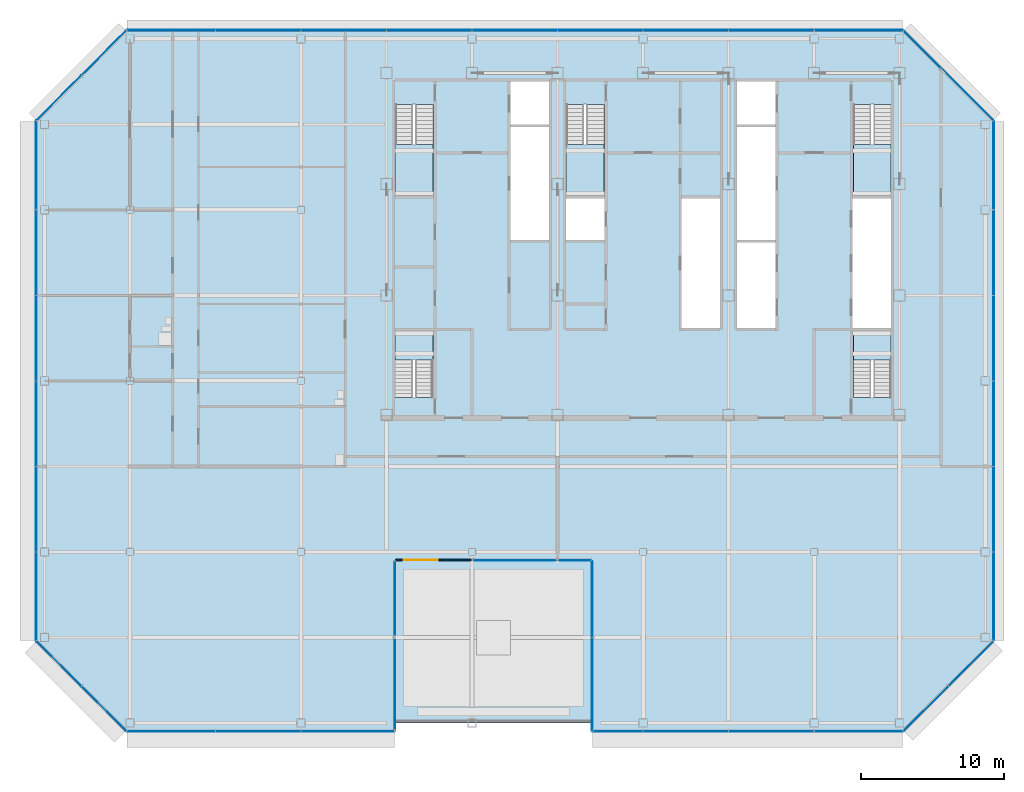
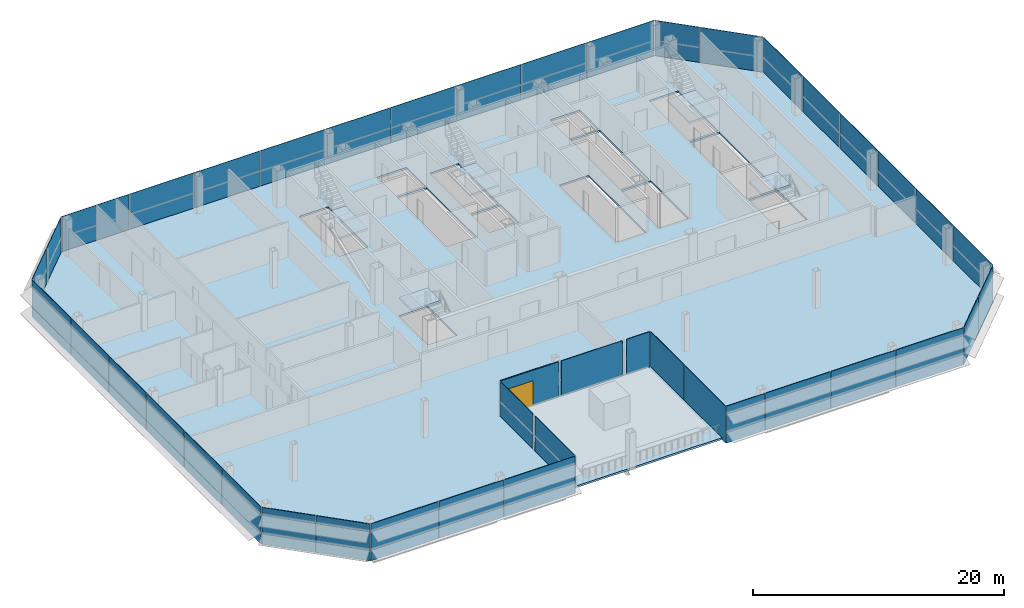
# One storey, part 19 of 27: 42 plates, 7 slabs, 1 door, 1 wall, 1 opening, 17 elements without a shape of their own.
"""IFC4 building model written with IfcOpenShell, lengths in metres."""

from ifc_helpers import new_model, si_unit, direction, frame, frame_2d, origin, origin_2d, place, context, subcontext, project, spatial, polyline, rectangle, outline, extrude, material, layer, layer_set, type_object, element, fill, aggregate, save


model = new_model("IFC4")

# Units and contexts
model_context = context("Model", 3, precision=1e-05, world=origin(), true_north=direction((0.0, 1.0)))
body_context = subcontext(model_context, "Body", "Model", "MODEL_VIEW")
ifc_project = project(units=[si_unit("LENGTHUNIT", "METRE"), si_unit("AREAUNIT", "SQUARE_METRE"), si_unit("VOLUMEUNIT", "CUBIC_METRE"), si_unit("PLANEANGLEUNIT", "RADIAN"), si_unit("MASSUNIT", "GRAM", prefix="KILO")], contexts=[model_context])

# Site, building, storey
site_placement = place(None, origin())
site = spatial("IfcSite", under=ifc_project, at=site_placement, CompositionType="ELEMENT")
building_placement = place(site_placement, origin())
building = spatial("IfcBuilding", under=site, at=building_placement, Name="Sorahane Residences", CompositionType="ELEMENT")
storey_placement = place(building_placement, frame((0.0, 0.0, 298.0)))
storey = spatial("IfcBuildingStorey", under=building, at=storey_placement, Name="L70", CompositionType="ELEMENT", Elevation=298.0)

# Slab
ifc_material_1 = material(Name="Concrete C35", Category="concrete")
ifc_layer_1 = layer(ifc_material_1, 0.179931640625)
ifc_layer_set_1 = layer_set([ifc_layer_1], Name="Composite floor slab 180 mm Concrete C35")
slab_type_1 = type_object("IfcSlabType", Name="Composite floor slab 180 mm Concrete C35", PredefinedType="FLOOR", material=ifc_layer_set_1)
slab_1_placement = place(storey_placement, frame((0.0, 0.0, -0.179931640625)))
element("IfcSlab", 1, at=slab_1_placement, inside=storey, type_object=slab_type_1, Name="Slab L70", PredefinedType="FLOOR", context=body_context, shape_type="SweptSolid", body=[
    extrude(outline(polyline([(-12.24853515625, -0.60009765625), (-18.60009765625, 5.75146484375), (-18.60009765625, 42.24853515625), (-12.24853515625, 48.60009765625), (42.24853515625, 48.60009765625), (48.60009765625, 42.24853515625), (48.60009765625, 5.75146484375), (42.24853515625, -0.60009765625), (20.39990234375, -0.60009765625), (20.39990234375, 11.39990234375), (6.60009765625, 11.39990234375), (6.60009765625, -0.60009765625), (-12.24853515625, -0.60009765625)]), holes=[polyline([(38.699951171875, 27.699951171875), (41.39990234375, 27.699951171875), (41.39990234375, 36.800048828125), (38.699951171875, 36.800048828125), (38.699951171875, 27.699951171875)]), polyline([(30.60009765625, 27.699951171875), (33.300048828125, 27.699951171875), (33.300048828125, 33.699951171875), (30.60009765625, 33.699951171875), (30.60009765625, 27.699951171875)]), polyline([(30.60009765625, 42.0), (33.300048828125, 42.0), (33.300048828125, 45.0), (30.60009765625, 45.0), (30.60009765625, 42.0)]), polyline([(14.699951171875, 42.0), (17.39990234375, 42.0), (17.39990234375, 45.0), (14.699951171875, 45.0), (14.699951171875, 42.0)]), polyline([(6.60009765625, 43.39990234375), (6.60009765625, 37.0), (9.25, 37.0), (9.25, 43.39990234375), (6.60009765625, 43.39990234375)]), polyline([(38.75, 43.39990234375), (38.75, 37.0), (41.39990234375, 37.0), (41.39990234375, 43.39990234375), (38.75, 43.39990234375)]), polyline([(18.60009765625, 43.39990234375), (18.60009765625, 37.0), (21.25, 37.0), (21.25, 43.39990234375), (18.60009765625, 43.39990234375)]), polyline([(9.25, 22.85009765625), (9.25, 27.5), (6.60009765625, 27.5), (6.60009765625, 22.85009765625), (9.25, 22.85009765625)]), polyline([(41.39990234375, 22.85009765625), (41.39990234375, 27.5), (38.75, 27.5), (38.75, 22.85009765625), (41.39990234375, 22.85009765625)]), polyline([(14.699951171875, 33.89990234375), (17.39990234375, 33.89990234375), (17.39990234375, 41.800048828125), (14.699951171875, 41.800048828125), (14.699951171875, 33.89990234375)]), polyline([(30.60009765625, 33.89990234375), (33.300048828125, 33.89990234375), (33.300048828125, 41.800048828125), (30.60009765625, 41.800048828125), (30.60009765625, 33.89990234375)]), polyline([(18.60009765625, 33.89990234375), (21.300048828125, 33.89990234375), (21.300048828125, 36.800048828125), (18.60009765625, 36.800048828125), (18.60009765625, 33.89990234375)]), polyline([(26.699951171875, 27.699951171875), (29.39990234375, 27.699951171875), (29.39990234375, 36.800048828125), (26.699951171875, 36.800048828125), (26.699951171875, 27.699951171875)])]), origin(), (0.0, 0.0, 1.0), 0.179931640625),
])

# Curtain wall, plates
ifc_material_2 = material(Name="Dark low-e glass and black anodised aluminium", Category="aluminium")
curtain_wall_type_1 = type_object("IfcCurtainWallType", Name="Curtain wall CW-1 Typical unitised wall", PredefinedType="NOTDEFINED", material=ifc_material_2)
curtain_wall_1_placement = place(storey_placement, origin())
curtain_wall_1 = element("IfcCurtainWall", 2, at=curtain_wall_1_placement, inside=storey, type_object=curtain_wall_type_1, Name="CW-1 curtain wall L70 S1", PredefinedType="NOTDEFINED")
ifc_material_3 = material(Name="Dark low-e glass with black ceramic frit", Category="glass")
ifc_layer_2 = layer(ifc_material_3, 0.0400390625)
ifc_layer_set_2 = layer_set([ifc_layer_2], Name="Curtain wall glass panel dark low-e with black frit spandrel band")
plate_type = type_object("IfcPlateType", Name="Curtain wall glass panel dark low-e with black frit spandrel band", PredefinedType="CURTAIN_PANEL", material=ifc_layer_set_2)
plate_1_placement = place(storey_placement, frame((-9.11181640625, -0.60009765625, -0.179931640625), z_axis=(0.0, 0.0, 1.0), x_axis=(1.0, 0.0, 0.0)))
plate_1 = element("IfcPlate", 3, at=plate_1_placement, type_object=plate_type, Name="CW-1 glass panel L70 S1.1", PredefinedType="CURTAIN_PANEL", context=body_context, shape_type="SweptSolid", body=[
    extrude(rectangle(XDim=6.173583984375, YDim=0.0400390625, at=origin_2d()), origin(), (0.0, 0.0, 1.0), 3.60009765625),
])
plate_2_placement = place(storey_placement, frame((-3.0, -0.60009765625, -0.179931640625), z_axis=(0.0, 0.0, 1.0), x_axis=(1.0, 0.0, 0.0)))
plate_2 = element("IfcPlate", 4, at=plate_2_placement, type_object=plate_type, Name="CW-1 glass panel L70 S1.2", PredefinedType="CURTAIN_PANEL", context=body_context, shape_type="SweptSolid", body=[
    extrude(rectangle(XDim=5.949951171875, YDim=0.0400390625, at=origin_2d()), origin(), (0.0, 0.0, 1.0), 3.60009765625),
])
plate_3_placement = place(storey_placement, frame((3.28759765625, -0.60009765625, -0.179931640625), z_axis=(0.0, 0.0, 1.0), x_axis=(1.0, 0.0, 0.0)))
plate_3 = element("IfcPlate", 5, at=plate_3_placement, type_object=plate_type, Name="CW-1 glass panel L70 S1.3", PredefinedType="CURTAIN_PANEL", context=body_context, shape_type="SweptSolid", body=[
    extrude(rectangle(XDim=6.52490234375, YDim=0.0400390625, at=origin_2d()), origin(), (0.0, 0.0, 1.0), 3.60009765625),
])
aggregate(curtain_wall_1, [plate_1, plate_2, plate_3])

curtain_wall_2_placement = place(storey_placement, origin())
curtain_wall_2 = element("IfcCurtainWall", 6, at=curtain_wall_2_placement, inside=storey, type_object=curtain_wall_type_1, Name="CW-1 curtain wall L70 E1", PredefinedType="NOTDEFINED")
plate_4_placement = place(storey_placement, frame((6.60009765625, 2.625, -0.179931640625), z_axis=(0.0, 0.0, 1.0), x_axis=(0.0, 1.0, 0.0)))
plate_4 = element("IfcPlate", 7, at=plate_4_placement, type_object=plate_type, Name="CW-1 glass panel L70 E1.1", PredefinedType="CURTAIN_PANEL", context=body_context, shape_type="SweptSolid", body=[
    extrude(rectangle(XDim=6.35009765625, YDim=0.0400390625, at=origin_2d()), origin(), (0.0, 0.0, 1.0), 3.60009765625),
])
plate_5_placement = place(storey_placement, frame((6.60009765625, 8.77490234375, -0.179931640625), z_axis=(0.0, 0.0, 1.0), x_axis=(0.0, 1.0, 0.0)))
plate_5 = element("IfcPlate", 8, at=plate_5_placement, type_object=plate_type, Name="CW-1 glass panel L70 E1.2", PredefinedType="CURTAIN_PANEL", context=body_context, shape_type="SweptSolid", body=[
    extrude(rectangle(XDim=5.14990234375, YDim=0.0400390625, at=origin_2d()), origin(), (0.0, 0.0, 1.0), 3.60009765625),
])
aggregate(curtain_wall_2, [plate_4, plate_5])

curtain_wall_3_placement = place(storey_placement, origin())
curtain_wall_3 = element("IfcCurtainWall", 9, at=curtain_wall_3_placement, inside=storey, type_object=curtain_wall_type_1, Name="CW-1 curtain wall L70 S2", PredefinedType="NOTDEFINED")
plate_6_placement = place(storey_placement, frame((15.0, 11.39990234375, -0.179931640625), z_axis=(0.0, 0.0, 1.0), x_axis=(1.0, 0.0, 0.0)))
plate_6 = element("IfcPlate", 10, at=plate_6_placement, type_object=plate_type, Name="CW-1 glass panel L70 S2.2", PredefinedType="CURTAIN_PANEL", context=body_context, shape_type="SweptSolid", body=[
    extrude(rectangle(XDim=5.60009765625, YDim=0.0400390625, at=origin_2d()), origin(), (0.0, 0.0, 1.0), 3.60009765625),
])
plate_7_placement = place(storey_placement, frame((19.27490234375, 11.39990234375, -0.179931640625), z_axis=(0.0, 0.0, 1.0), x_axis=(1.0, 0.0, 0.0)))
plate_7 = element("IfcPlate", 11, at=plate_7_placement, type_object=plate_type, Name="CW-1 glass panel L70 S2.3", PredefinedType="CURTAIN_PANEL", context=body_context, shape_type="SweptSolid", body=[
    extrude(rectangle(XDim=2.14990234375, YDim=0.0400390625, at=origin_2d()), origin(), (0.0, 0.0, 1.0), 3.60009765625),
])
aggregate(curtain_wall_3, [plate_6, plate_7])

curtain_wall_4_placement = place(storey_placement, origin())
curtain_wall_4 = element("IfcCurtainWall", 12, at=curtain_wall_4_placement, inside=storey, type_object=curtain_wall_type_1, Name="CW-1 curtain wall L70 W1", PredefinedType="NOTDEFINED")
plate_8_placement = place(storey_placement, frame((20.39990234375, 8.6875, -0.179931640625), z_axis=(0.0, 0.0, 1.0), x_axis=(0.0, -1.0, 0.0)))
plate_8 = element("IfcPlate", 13, at=plate_8_placement, type_object=plate_type, Name="CW-1 glass panel L70 W1.1", PredefinedType="CURTAIN_PANEL", context=body_context, shape_type="SweptSolid", body=[
    extrude(rectangle(XDim=5.324951171875, YDim=0.0400390625, at=origin_2d()), origin(), (0.0, 0.0, 1.0), 3.60009765625),
])
plate_9_placement = place(storey_placement, frame((20.39990234375, 2.71240234375, -0.179931640625), z_axis=(0.0, 0.0, 1.0), x_axis=(0.0, -1.0, 0.0)))
plate_9 = element("IfcPlate", 14, at=plate_9_placement, type_object=plate_type, Name="CW-1 glass panel L70 W1.2", PredefinedType="CURTAIN_PANEL", context=body_context, shape_type="SweptSolid", body=[
    extrude(rectangle(XDim=6.52490234375, YDim=0.0400390625, at=origin_2d()), origin(), (0.0, 0.0, 1.0), 3.60009765625),
])
aggregate(curtain_wall_4, [plate_8, plate_9])

curtain_wall_5_placement = place(storey_placement, origin())
curtain_wall_5 = element("IfcCurtainWall", 15, at=curtain_wall_5_placement, inside=storey, type_object=curtain_wall_type_1, Name="CW-1 curtain wall L70 S3", PredefinedType="NOTDEFINED")
plate_10_placement = place(storey_placement, frame((22.21240234375, -0.60009765625, -0.179931640625), z_axis=(0.0, 0.0, 1.0), x_axis=(1.0, 0.0, 0.0)))
plate_10 = element("IfcPlate", 16, at=plate_10_placement, type_object=plate_type, Name="CW-1 glass panel L70 S3.1", PredefinedType="CURTAIN_PANEL", context=body_context, shape_type="SweptSolid", body=[
    extrude(rectangle(XDim=3.52490234375, YDim=0.0400390625, at=origin_2d()), origin(), (0.0, 0.0, 1.0), 3.60009765625),
])
plate_11_placement = place(storey_placement, frame((27.0, -0.60009765625, -0.179931640625), z_axis=(0.0, 0.0, 1.0), x_axis=(1.0, 0.0, 0.0)))
plate_11 = element("IfcPlate", 17, at=plate_11_placement, type_object=plate_type, Name="CW-1 glass panel L70 S3.2", PredefinedType="CURTAIN_PANEL", context=body_context, shape_type="SweptSolid", body=[
    extrude(rectangle(XDim=5.949951171875, YDim=0.0400390625, at=origin_2d()), origin(), (0.0, 0.0, 1.0), 3.60009765625),
])
plate_12_placement = place(storey_placement, frame((33.0, -0.60009765625, -0.179931640625), z_axis=(0.0, 0.0, 1.0), x_axis=(1.0, 0.0, 0.0)))
plate_12 = element("IfcPlate", 18, at=plate_12_placement, type_object=plate_type, Name="CW-1 glass panel L70 S3.3", PredefinedType="CURTAIN_PANEL", context=body_context, shape_type="SweptSolid", body=[
    extrude(rectangle(XDim=5.949951171875, YDim=0.0400390625, at=origin_2d()), origin(), (0.0, 0.0, 1.0), 3.60009765625),
])
plate_13_placement = place(storey_placement, frame((39.11181640625, -0.60009765625, -0.179931640625), z_axis=(0.0, 0.0, 1.0), x_axis=(1.0, 0.0, 0.0)))
plate_13 = element("IfcPlate", 19, at=plate_13_placement, type_object=plate_type, Name="CW-1 glass panel L70 S3.4", PredefinedType="CURTAIN_PANEL", context=body_context, shape_type="SweptSolid", body=[
    extrude(rectangle(XDim=6.173583984375, YDim=0.0400390625, at=origin_2d()), origin(), (0.0, 0.0, 1.0), 3.60009765625),
])
aggregate(curtain_wall_5, [plate_10, plate_11, plate_12, plate_13])

ifc_material_4 = material(Name="Dark low-e glass and black anodised aluminium", Category="aluminium")
curtain_wall_type_2 = type_object("IfcCurtainWallType", Name="Curtain wall CW-2 Chamfer unitised wall", PredefinedType="NOTDEFINED", material=ifc_material_4)
curtain_wall_6_placement = place(storey_placement, origin())
curtain_wall_6 = element("IfcCurtainWall", 20, at=curtain_wall_6_placement, inside=storey, type_object=curtain_wall_type_2, Name="CW-2 curtain wall L70 SE1", PredefinedType="NOTDEFINED")
plate_14_placement = place(storey_placement, frame((43.84521484375, 0.996826171875, -0.179931640625), z_axis=(0.0, 0.0, 1.0), x_axis=(0.707106781187, 0.707106781187, 0.0)))
plate_14 = element("IfcPlate", 21, at=plate_14_placement, type_object=plate_type, Name="CW-2 glass panel L70 SE1.1", PredefinedType="CURTAIN_PANEL", context=body_context, shape_type="SweptSolid", body=[
    extrude(rectangle(XDim=4.416259765625, YDim=0.0400390625, at=origin_2d()), origin(), (0.0, 0.0, 1.0), 3.60009765625),
])
plate_15_placement = place(storey_placement, frame((47.003173828125, 4.15478515625, -0.179931640625), z_axis=(0.0, 0.0, 1.0), x_axis=(0.707106781187, 0.707106781187, 0.0)))
plate_15 = element("IfcPlate", 22, at=plate_15_placement, type_object=plate_type, Name="CW-2 glass panel L70 SE1.2", PredefinedType="CURTAIN_PANEL", context=body_context, shape_type="SweptSolid", body=[
    extrude(rectangle(XDim=4.416259765625, YDim=0.0400390625, at=origin_2d()), origin(), (0.0, 0.0, 1.0), 3.60009765625),
])
aggregate(curtain_wall_6, [plate_14, plate_15])

curtain_wall_7_placement = place(storey_placement, origin())
curtain_wall_7 = element("IfcCurtainWall", 23, at=curtain_wall_7_placement, inside=storey, type_object=curtain_wall_type_1, Name="CW-1 curtain wall L70 E2", PredefinedType="NOTDEFINED")
plate_16_placement = place(storey_placement, frame((48.60009765625, 8.88818359375, -0.179931640625), z_axis=(0.0, 0.0, 1.0), x_axis=(0.0, 1.0, 0.0)))
plate_16 = element("IfcPlate", 24, at=plate_16_placement, type_object=plate_type, Name="CW-1 glass panel L70 E2.1", PredefinedType="CURTAIN_PANEL", context=body_context, shape_type="SweptSolid", body=[
    extrude(rectangle(XDim=6.173583984375, YDim=0.0400390625, at=origin_2d()), origin(), (0.0, 0.0, 1.0), 3.60009765625),
])
plate_17_placement = place(storey_placement, frame((48.60009765625, 15.0, -0.179931640625), z_axis=(0.0, 0.0, 1.0), x_axis=(0.0, 1.0, 0.0)))
plate_17 = element("IfcPlate", 25, at=plate_17_placement, type_object=plate_type, Name="CW-1 glass panel L70 E2.2", PredefinedType="CURTAIN_PANEL", context=body_context, shape_type="SweptSolid", body=[
    extrude(rectangle(XDim=5.949951171875, YDim=0.0400390625, at=origin_2d()), origin(), (0.0, 0.0, 1.0), 3.60009765625),
])
plate_18_placement = place(storey_placement, frame((48.60009765625, 21.0, -0.179931640625), z_axis=(0.0, 0.0, 1.0), x_axis=(0.0, 1.0, 0.0)))
plate_18 = element("IfcPlate", 26, at=plate_18_placement, type_object=plate_type, Name="CW-1 glass panel L70 E2.3", PredefinedType="CURTAIN_PANEL", context=body_context, shape_type="SweptSolid", body=[
    extrude(rectangle(XDim=5.949951171875, YDim=0.0400390625, at=origin_2d()), origin(), (0.0, 0.0, 1.0), 3.60009765625),
])
plate_19_placement = place(storey_placement, frame((48.60009765625, 27.0, -0.179931640625), z_axis=(0.0, 0.0, 1.0), x_axis=(0.0, 1.0, 0.0)))
plate_19 = element("IfcPlate", 27, at=plate_19_placement, type_object=plate_type, Name="CW-1 glass panel L70 E2.4", PredefinedType="CURTAIN_PANEL", context=body_context, shape_type="SweptSolid", body=[
    extrude(rectangle(XDim=5.949951171875, YDim=0.0400390625, at=origin_2d()), origin(), (0.0, 0.0, 1.0), 3.60009765625),
])
plate_20_placement = place(storey_placement, frame((48.60009765625, 33.0, -0.179931640625), z_axis=(0.0, 0.0, 1.0), x_axis=(0.0, 1.0, 0.0)))
plate_20 = element("IfcPlate", 28, at=plate_20_placement, type_object=plate_type, Name="CW-1 glass panel L70 E2.5", PredefinedType="CURTAIN_PANEL", context=body_context, shape_type="SweptSolid", body=[
    extrude(rectangle(XDim=5.949951171875, YDim=0.0400390625, at=origin_2d()), origin(), (0.0, 0.0, 1.0), 3.60009765625),
])
plate_21_placement = place(storey_placement, frame((48.60009765625, 39.11181640625, -0.179931640625), z_axis=(0.0, 0.0, 1.0), x_axis=(0.0, 1.0, 0.0)))
plate_21 = element("IfcPlate", 29, at=plate_21_placement, type_object=plate_type, Name="CW-1 glass panel L70 E2.6", PredefinedType="CURTAIN_PANEL", context=body_context, shape_type="SweptSolid", body=[
    extrude(rectangle(XDim=6.173583984375, YDim=0.0400390625, at=origin_2d()), origin(), (0.0, 0.0, 1.0), 3.60009765625),
])
aggregate(curtain_wall_7, [plate_16, plate_17, plate_18, plate_19, plate_20, plate_21])

curtain_wall_8_placement = place(storey_placement, origin())
curtain_wall_8 = element("IfcCurtainWall", 30, at=curtain_wall_8_placement, inside=storey, type_object=curtain_wall_type_2, Name="CW-2 curtain wall L70 NE1", PredefinedType="NOTDEFINED")
plate_22_placement = place(storey_placement, frame((46.740966796875, 44.107421875, -0.179931640625), z_axis=(0.0, 0.0, 1.0), x_axis=(-0.707106781187, 0.707106781187, 0.0)))
plate_22 = element("IfcPlate", 31, at=plate_22_placement, type_object=plate_type, Name="CW-2 glass panel L70 NE1.1", PredefinedType="CURTAIN_PANEL", context=body_context, shape_type="SweptSolid", body=[
    extrude(rectangle(XDim=5.157958984375, YDim=0.0400390625, at=origin_2d()), origin(), (0.0, 0.0, 1.0), 3.60009765625),
])
plate_23_placement = place(storey_placement, frame((43.5830078125, 47.265625, -0.179931640625), z_axis=(0.0, 0.0, 1.0), x_axis=(-0.707106781187, 0.707106781187, 0.0)))
plate_23 = element("IfcPlate", 32, at=plate_23_placement, type_object=plate_type, Name="CW-2 glass panel L70 NE1.2", PredefinedType="CURTAIN_PANEL", context=body_context, shape_type="SweptSolid", body=[
    extrude(rectangle(XDim=3.67431640625, YDim=0.0400390625, at=origin_2d()), origin(), (0.0, 0.0, 1.0), 3.60009765625),
])
aggregate(curtain_wall_8, [plate_22, plate_23])

curtain_wall_9_placement = place(storey_placement, origin())
curtain_wall_9 = element("IfcCurtainWall", 33, at=curtain_wall_9_placement, inside=storey, type_object=curtain_wall_type_1, Name="CW-1 curtain wall L70 N1", PredefinedType="NOTDEFINED")
plate_24_placement = place(storey_placement, frame((39.11181640625, 48.60009765625, -0.179931640625), z_axis=(0.0, 0.0, 1.0), x_axis=(-1.0, 0.0, 0.0)))
plate_24 = element("IfcPlate", 34, at=plate_24_placement, type_object=plate_type, Name="CW-1 glass panel L70 N1.1", PredefinedType="CURTAIN_PANEL", context=body_context, shape_type="SweptSolid", body=[
    extrude(rectangle(XDim=6.173583984375, YDim=0.0400390625, at=origin_2d()), origin(), (0.0, 0.0, 1.0), 3.60009765625),
])
plate_25_placement = place(storey_placement, frame((33.0, 48.60009765625, -0.179931640625), z_axis=(0.0, 0.0, 1.0), x_axis=(-1.0, 0.0, 0.0)))
plate_25 = element("IfcPlate", 35, at=plate_25_placement, type_object=plate_type, Name="CW-1 glass panel L70 N1.2", PredefinedType="CURTAIN_PANEL", context=body_context, shape_type="SweptSolid", body=[
    extrude(rectangle(XDim=5.949951171875, YDim=0.0400390625, at=origin_2d()), origin(), (0.0, 0.0, 1.0), 3.60009765625),
])
plate_26_placement = place(storey_placement, frame((27.0, 48.60009765625, -0.179931640625), z_axis=(0.0, 0.0, 1.0), x_axis=(-1.0, 0.0, 0.0)))
plate_26 = element("IfcPlate", 36, at=plate_26_placement, type_object=plate_type, Name="CW-1 glass panel L70 N1.3", PredefinedType="CURTAIN_PANEL", context=body_context, shape_type="SweptSolid", body=[
    extrude(rectangle(XDim=5.949951171875, YDim=0.0400390625, at=origin_2d()), origin(), (0.0, 0.0, 1.0), 3.60009765625),
])
plate_27_placement = place(storey_placement, frame((21.0, 48.60009765625, -0.179931640625), z_axis=(0.0, 0.0, 1.0), x_axis=(-1.0, 0.0, 0.0)))
plate_27 = element("IfcPlate", 37, at=plate_27_placement, type_object=plate_type, Name="CW-1 glass panel L70 N1.4", PredefinedType="CURTAIN_PANEL", context=body_context, shape_type="SweptSolid", body=[
    extrude(rectangle(XDim=5.949951171875, YDim=0.0400390625, at=origin_2d()), origin(), (0.0, 0.0, 1.0), 3.60009765625),
])
plate_28_placement = place(storey_placement, frame((15.0, 48.60009765625, -0.179931640625), z_axis=(0.0, 0.0, 1.0), x_axis=(-1.0, 0.0, 0.0)))
plate_28 = element("IfcPlate", 38, at=plate_28_placement, type_object=plate_type, Name="CW-1 glass panel L70 N1.5", PredefinedType="CURTAIN_PANEL", context=body_context, shape_type="SweptSolid", body=[
    extrude(rectangle(XDim=5.949951171875, YDim=0.0400390625, at=origin_2d()), origin(), (0.0, 0.0, 1.0), 3.60009765625),
])
plate_29_placement = place(storey_placement, frame((9.0, 48.60009765625, -0.179931640625), z_axis=(0.0, 0.0, 1.0), x_axis=(-1.0, 0.0, 0.0)))
plate_29 = element("IfcPlate", 39, at=plate_29_placement, type_object=plate_type, Name="CW-1 glass panel L70 N1.6", PredefinedType="CURTAIN_PANEL", context=body_context, shape_type="SweptSolid", body=[
    extrude(rectangle(XDim=5.949951171875, YDim=0.0400390625, at=origin_2d()), origin(), (0.0, 0.0, 1.0), 3.60009765625),
])
plate_30_placement = place(storey_placement, frame((3.0, 48.60009765625, -0.179931640625), z_axis=(0.0, 0.0, 1.0), x_axis=(-1.0, 0.0, 0.0)))
plate_30 = element("IfcPlate", 40, at=plate_30_placement, type_object=plate_type, Name="CW-1 glass panel L70 N1.7", PredefinedType="CURTAIN_PANEL", context=body_context, shape_type="SweptSolid", body=[
    extrude(rectangle(XDim=5.949951171875, YDim=0.0400390625, at=origin_2d()), origin(), (0.0, 0.0, 1.0), 3.60009765625),
])
plate_31_placement = place(storey_placement, frame((-3.0, 48.60009765625, -0.179931640625), z_axis=(0.0, 0.0, 1.0), x_axis=(-1.0, 0.0, 0.0)))
plate_31 = element("IfcPlate", 41, at=plate_31_placement, type_object=plate_type, Name="CW-1 glass panel L70 N1.8", PredefinedType="CURTAIN_PANEL", context=body_context, shape_type="SweptSolid", body=[
    extrude(rectangle(XDim=5.949951171875, YDim=0.0400390625, at=origin_2d()), origin(), (0.0, 0.0, 1.0), 3.60009765625),
])
plate_32_placement = place(storey_placement, frame((-9.11181640625, 48.60009765625, -0.179931640625), z_axis=(0.0, 0.0, 1.0), x_axis=(-1.0, 0.0, 0.0)))
plate_32 = element("IfcPlate", 42, at=plate_32_placement, type_object=plate_type, Name="CW-1 glass panel L70 N1.9", PredefinedType="CURTAIN_PANEL", context=body_context, shape_type="SweptSolid", body=[
    extrude(rectangle(XDim=6.173583984375, YDim=0.0400390625, at=origin_2d()), origin(), (0.0, 0.0, 1.0), 3.60009765625),
])
aggregate(curtain_wall_9, [plate_24, plate_25, plate_26, plate_27, plate_28, plate_29, plate_30, plate_31, plate_32])

curtain_wall_10_placement = place(storey_placement, origin())
curtain_wall_10 = element("IfcCurtainWall", 43, at=curtain_wall_10_placement, inside=storey, type_object=curtain_wall_type_2, Name="CW-2 curtain wall L70 NW1", PredefinedType="NOTDEFINED")
plate_33_placement = place(storey_placement, frame((-13.84521484375, 47.003173828125, -0.179931640625), z_axis=(0.0, 0.0, 1.0), x_axis=(-0.707106781187, -0.707106781187, 0.0)))
plate_33 = element("IfcPlate", 44, at=plate_33_placement, type_object=plate_type, Name="CW-2 glass panel L70 NW1.1", PredefinedType="CURTAIN_PANEL", context=body_context, shape_type="SweptSolid", body=[
    extrude(rectangle(XDim=4.416259765625, YDim=0.0400390625, at=origin_2d()), origin(), (0.0, 0.0, 1.0), 3.60009765625),
])
plate_34_placement = place(storey_placement, frame((-17.003173828125, 43.84521484375, -0.179931640625), z_axis=(0.0, 0.0, 1.0), x_axis=(-0.707106781187, -0.707106781187, 0.0)))
plate_34 = element("IfcPlate", 45, at=plate_34_placement, type_object=plate_type, Name="CW-2 glass panel L70 NW1.2", PredefinedType="CURTAIN_PANEL", context=body_context, shape_type="SweptSolid", body=[
    extrude(rectangle(XDim=4.416259765625, YDim=0.0400390625, at=origin_2d()), origin(), (0.0, 0.0, 1.0), 3.60009765625),
])
aggregate(curtain_wall_10, [plate_33, plate_34])

curtain_wall_11_placement = place(storey_placement, origin())
curtain_wall_11 = element("IfcCurtainWall", 46, at=curtain_wall_11_placement, inside=storey, type_object=curtain_wall_type_1, Name="CW-1 curtain wall L70 W2", PredefinedType="NOTDEFINED")
plate_35_placement = place(storey_placement, frame((-18.60009765625, 39.11181640625, -0.179931640625), z_axis=(0.0, 0.0, 1.0), x_axis=(0.0, -1.0, 0.0)))
plate_35 = element("IfcPlate", 47, at=plate_35_placement, type_object=plate_type, Name="CW-1 glass panel L70 W2.1", PredefinedType="CURTAIN_PANEL", context=body_context, shape_type="SweptSolid", body=[
    extrude(rectangle(XDim=6.173583984375, YDim=0.0400390625, at=origin_2d()), origin(), (0.0, 0.0, 1.0), 3.60009765625),
])
plate_36_placement = place(storey_placement, frame((-18.60009765625, 33.0, -0.179931640625), z_axis=(0.0, 0.0, 1.0), x_axis=(0.0, -1.0, 0.0)))
plate_36 = element("IfcPlate", 48, at=plate_36_placement, type_object=plate_type, Name="CW-1 glass panel L70 W2.2", PredefinedType="CURTAIN_PANEL", context=body_context, shape_type="SweptSolid", body=[
    extrude(rectangle(XDim=5.949951171875, YDim=0.0400390625, at=origin_2d()), origin(), (0.0, 0.0, 1.0), 3.60009765625),
])
plate_37_placement = place(storey_placement, frame((-18.60009765625, 27.0, -0.179931640625), z_axis=(0.0, 0.0, 1.0), x_axis=(0.0, -1.0, 0.0)))
plate_37 = element("IfcPlate", 49, at=plate_37_placement, type_object=plate_type, Name="CW-1 glass panel L70 W2.3", PredefinedType="CURTAIN_PANEL", context=body_context, shape_type="SweptSolid", body=[
    extrude(rectangle(XDim=5.949951171875, YDim=0.0400390625, at=origin_2d()), origin(), (0.0, 0.0, 1.0), 3.60009765625),
])
plate_38_placement = place(storey_placement, frame((-18.60009765625, 21.0, -0.179931640625), z_axis=(0.0, 0.0, 1.0), x_axis=(0.0, -1.0, 0.0)))
plate_38 = element("IfcPlate", 50, at=plate_38_placement, type_object=plate_type, Name="CW-1 glass panel L70 W2.4", PredefinedType="CURTAIN_PANEL", context=body_context, shape_type="SweptSolid", body=[
    extrude(rectangle(XDim=5.949951171875, YDim=0.0400390625, at=origin_2d()), origin(), (0.0, 0.0, 1.0), 3.60009765625),
])
plate_39_placement = place(storey_placement, frame((-18.60009765625, 15.0, -0.179931640625), z_axis=(0.0, 0.0, 1.0), x_axis=(0.0, -1.0, 0.0)))
plate_39 = element("IfcPlate", 51, at=plate_39_placement, type_object=plate_type, Name="CW-1 glass panel L70 W2.5", PredefinedType="CURTAIN_PANEL", context=body_context, shape_type="SweptSolid", body=[
    extrude(rectangle(XDim=5.949951171875, YDim=0.0400390625, at=origin_2d()), origin(), (0.0, 0.0, 1.0), 3.60009765625),
])
plate_40_placement = place(storey_placement, frame((-18.60009765625, 8.88818359375, -0.179931640625), z_axis=(0.0, 0.0, 1.0), x_axis=(0.0, -1.0, 0.0)))
plate_40 = element("IfcPlate", 52, at=plate_40_placement, type_object=plate_type, Name="CW-1 glass panel L70 W2.6", PredefinedType="CURTAIN_PANEL", context=body_context, shape_type="SweptSolid", body=[
    extrude(rectangle(XDim=6.173583984375, YDim=0.0400390625, at=origin_2d()), origin(), (0.0, 0.0, 1.0), 3.60009765625),
])
aggregate(curtain_wall_11, [plate_35, plate_36, plate_37, plate_38, plate_39, plate_40])

curtain_wall_12_placement = place(storey_placement, origin())
curtain_wall_12 = element("IfcCurtainWall", 53, at=curtain_wall_12_placement, inside=storey, type_object=curtain_wall_type_2, Name="CW-2 curtain wall L70 SW1", PredefinedType="NOTDEFINED")
plate_41_placement = place(storey_placement, frame((-17.003173828125, 4.15478515625, -0.179931640625), z_axis=(0.0, 0.0, 1.0), x_axis=(0.707106781187, -0.707106781187, 0.0)))
plate_41 = element("IfcPlate", 54, at=plate_41_placement, type_object=plate_type, Name="CW-2 glass panel L70 SW1.1", PredefinedType="CURTAIN_PANEL", context=body_context, shape_type="SweptSolid", body=[
    extrude(rectangle(XDim=4.416259765625, YDim=0.0400390625, at=origin_2d()), origin(), (0.0, 0.0, 1.0), 3.60009765625),
])
plate_42_placement = place(storey_placement, frame((-13.84521484375, 0.996826171875, -0.179931640625), z_axis=(0.0, 0.0, 1.0), x_axis=(0.707106781187, -0.707106781187, 0.0)))
plate_42 = element("IfcPlate", 55, at=plate_42_placement, type_object=plate_type, Name="CW-2 glass panel L70 SW1.2", PredefinedType="CURTAIN_PANEL", context=body_context, shape_type="SweptSolid", body=[
    extrude(rectangle(XDim=4.416259765625, YDim=0.0400390625, at=origin_2d()), origin(), (0.0, 0.0, 1.0), 3.60009765625),
])
aggregate(curtain_wall_12, [plate_41, plate_42])

# Stair, slab
ifc_material_5 = material(Name="Concrete C40", Category="concrete")
stair_type = type_object("IfcStairType", Name="Dog-leg stair 1250 Concrete C40", PredefinedType="HALF_TURN_STAIR", material=ifc_material_5)
stair_1_placement = place(storey_placement, origin())
stair_1 = element("IfcStair", 56, at=stair_1_placement, inside=storey, type_object=stair_type, Name="L70 Stair S1", PredefinedType="HALF_TURN_STAIR")
ifc_material_6 = material(Name="Concrete C40", Category="concrete")
ifc_layer_3 = layer(ifc_material_6, 0.199951171875)
ifc_layer_set_3 = layer_set([ifc_layer_3], Name="Stair landing 200 Concrete C40")
slab_type_2 = type_object("IfcSlabType", Name="Stair landing 200 Concrete C40", PredefinedType="LANDING", material=ifc_layer_set_3)
slab_2_placement = place(storey_placement, frame((0.0, 0.0, 1.60009765625)))
slab_2 = element("IfcSlab", 57, at=slab_2_placement, type_object=slab_type_2, Name="S1 landing 1", PredefinedType="LANDING", context=body_context, shape_type="SweptSolid", body=[
    extrude(outline(polyline([(6.60009765625, 40.60009765625), (6.60009765625, 37.0), (9.25, 37.0), (9.25, 40.60009765625), (6.60009765625, 40.60009765625)])), origin(), (0.0, 0.0, 1.0), 0.199951171875),
])
aggregate(stair_1, [slab_2])

stair_2_placement = place(storey_placement, origin())
stair_2 = element("IfcStair", 58, at=stair_2_placement, inside=storey, type_object=stair_type, Name="L70 Stair S2", PredefinedType="HALF_TURN_STAIR")
slab_3_placement = place(storey_placement, frame((0.0, 0.0, 1.60009765625)))
slab_3 = element("IfcSlab", 59, at=slab_3_placement, type_object=slab_type_2, Name="S2 landing 1", PredefinedType="LANDING", context=body_context, shape_type="SweptSolid", body=[
    extrude(outline(polyline([(38.75, 40.60009765625), (38.75, 37.0), (41.39990234375, 37.0), (41.39990234375, 40.60009765625), (38.75, 40.60009765625)])), origin(), (0.0, 0.0, 1.0), 0.199951171875),
])
aggregate(stair_2, [slab_3])

stair_3_placement = place(storey_placement, origin())
stair_3 = element("IfcStair", 60, at=stair_3_placement, inside=storey, type_object=stair_type, Name="L70 Stair S3", PredefinedType="HALF_TURN_STAIR")
slab_4_placement = place(storey_placement, frame((0.0, 0.0, 1.60009765625)))
slab_4 = element("IfcSlab", 61, at=slab_4_placement, type_object=slab_type_2, Name="S3 landing 1", PredefinedType="LANDING", context=body_context, shape_type="SweptSolid", body=[
    extrude(outline(polyline([(18.60009765625, 40.60009765625), (18.60009765625, 37.0), (21.25, 37.0), (21.25, 40.60009765625), (18.60009765625, 40.60009765625)])), origin(), (0.0, 0.0, 1.0), 0.199951171875),
])
aggregate(stair_3, [slab_4])

stair_4_placement = place(storey_placement, origin())
stair_4 = element("IfcStair", 62, at=stair_4_placement, inside=storey, type_object=stair_type, Name="L70 Stair S4", PredefinedType="HALF_TURN_STAIR")
slab_5_placement = place(storey_placement, frame((0.0, 0.0, 1.60009765625)))
slab_5 = element("IfcSlab", 63, at=slab_5_placement, type_object=slab_type_2, Name="S4 landing 1", PredefinedType="LANDING", context=body_context, shape_type="SweptSolid", body=[
    extrude(outline(polyline([(9.25, 25.449951171875), (9.25, 27.5), (6.60009765625, 27.5), (6.60009765625, 25.449951171875), (9.25, 25.449951171875)])), origin(), (0.0, 0.0, 1.0), 0.199951171875),
])
aggregate(stair_4, [slab_5])

stair_5_placement = place(storey_placement, origin())
stair_5 = element("IfcStair", 64, at=stair_5_placement, inside=storey, type_object=stair_type, Name="L70 Stair S5", PredefinedType="HALF_TURN_STAIR")
slab_6_placement = place(storey_placement, frame((0.0, 0.0, 1.60009765625)))
slab_6 = element("IfcSlab", 65, at=slab_6_placement, type_object=slab_type_2, Name="S5 landing 1", PredefinedType="LANDING", context=body_context, shape_type="SweptSolid", body=[
    extrude(outline(polyline([(41.39990234375, 25.449951171875), (41.39990234375, 27.5), (38.75, 27.5), (38.75, 25.449951171875), (41.39990234375, 25.449951171875)])), origin(), (0.0, 0.0, 1.0), 0.199951171875),
])
aggregate(stair_5, [slab_6])

# Slab
ifc_material_7 = material(Name="Concrete C35", Category="concrete")
ifc_layer_4 = layer(ifc_material_7, 0.179931640625)
ifc_layer_set_4 = layer_set([ifc_layer_4], Name="Terrace slab Concrete C35 paved")
slab_type_3 = type_object("IfcSlabType", Name="Terrace slab Concrete C35 paved", PredefinedType="FLOOR", material=ifc_layer_set_4)
slab_7_placement = place(storey_placement, frame((0.0, 0.0, -0.179931640625)))
element("IfcSlab", 66, at=slab_7_placement, inside=storey, type_object=slab_type_3, Name="Terrace slab L70.1", PredefinedType="FLOOR", context=body_context, shape_type="SweptSolid", body=[
    extrude(outline(polyline([(6.60009765625, 0.0), (6.60009765625, 11.39990234375), (20.39990234375, 11.39990234375), (20.39990234375, 0.0), (6.60009765625, 0.0)])), origin(), (0.0, 0.0, 1.0), 0.179931640625),
])

# Wall, opening, door
ifc_material_8 = material(Name="Toughened low-iron glass", Category="glass")
ifc_layer_5 = layer(ifc_material_8, 0.10009765625)
ifc_layer_set_5 = layer_set([ifc_layer_5], Name="Glazed door screen toughened low-iron glass 100")
wall_type = type_object("IfcWallType", Name="Glazed door screen toughened low-iron glass 100", PredefinedType="SOLIDWALL", material=ifc_layer_set_5)
wall_placement = place(storey_placement, frame((6.64990234375, 11.429931640625, 0.0), z_axis=(0.0, 0.0, 1.0), x_axis=(1.0, 0.0, 0.0)))
wall = element("IfcWall", 67, at=wall_placement, inside=storey, type_object=wall_type, Name="Glazed door screen L70 S2.1", PredefinedType="SOLIDWALL", context=body_context, shape_type="SweptSolid", body=[
    extrude(rectangle(XDim=5.3251953125, YDim=0.10009765625, at=frame_2d((2.66259765625, 0.0))), origin(), (0.0, 0.0, 1.0), 3.419921875),
])
opening_placement = place(wall_placement, frame((0.550048828125, 0.0, 0.0)))
opening = element("IfcOpeningElement", 68, at=opening_placement, cuts=wall, Name="Opening L70-F01", PredefinedType="OPENING", context=body_context, shape_type="SweptSolid", body=[
    extrude(rectangle(XDim=2.39990234375, YDim=2.39990234375, at=frame_2d((1.199951171875, 1.199951171875))), frame((0.0, 0.06005859375, 0.0), z_axis=(0.0, -1.0, 0.0), x_axis=(1.0, 0.0, 0.0)), (0.0, 0.0, 1.0), 0.1201171875),
])
ifc_material_9 = material(Name="Black anodised aluminium and low-iron glass", Category="aluminium")
door_type = type_object("IfcDoorType", Name="Glazed terrace door black aluminium 2400x2400", OperationType="DOUBLE_DOOR_SINGLE_SWING", PredefinedType="DOOR", material=ifc_material_9)
door_placement = place(opening_placement, origin())
door = element("IfcDoor", 69, at=door_placement, inside=storey, type_object=door_type, Name="Terrace door L70-F01", OperationType="DOUBLE_DOOR_SINGLE_SWING", OverallHeight=2.39990234375, OverallWidth=2.39990234375, PredefinedType="DOOR", context=body_context, shape_type="SweptSolid", body=[
    extrude(rectangle(XDim=2.39990234375, YDim=2.39990234375, at=frame_2d((1.199951171875, 1.199951171875))), frame((0.0, 0.02490234375, 0.0), z_axis=(0.0, -1.0, 0.0), x_axis=(1.0, 0.0, 0.0)), (0.0, 0.0, 1.0), 0.050048828125),
])
fill(opening, door)

save(model, "model.ifc")
